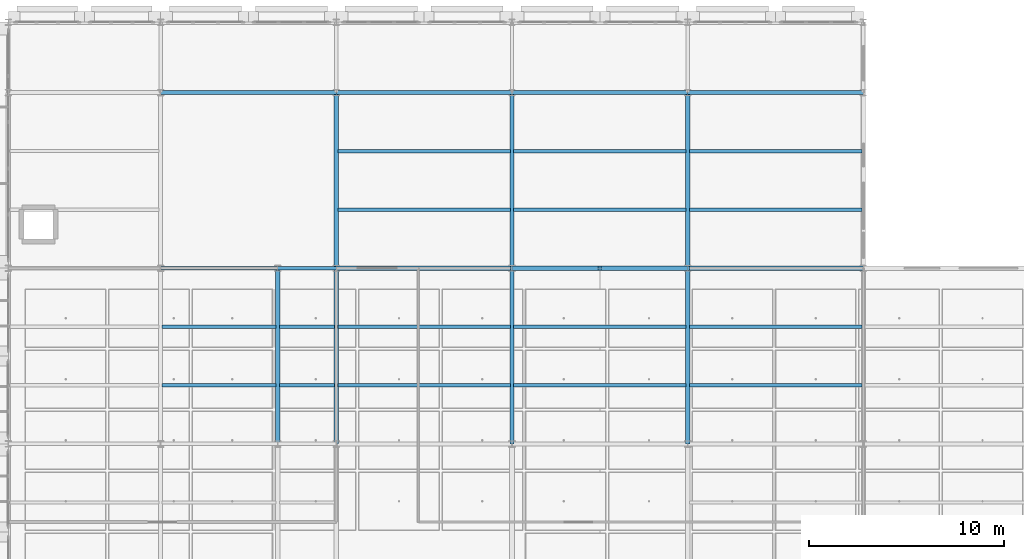
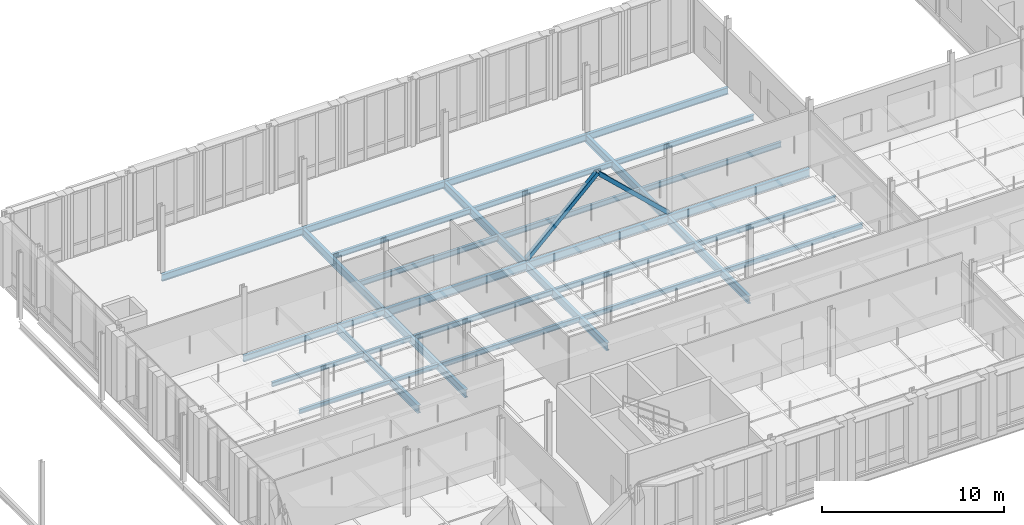
# One storey, part 41 of 130: 32 beams, 2 members.
"""IFC4 building model written with IfcOpenShell, lengths in metres."""

from ifc_helpers import new_model, si_unit, direction, frame, origin, origin_2d, place, context, subcontext, project, spatial, hollow_rectangle, i_section, extrude, material, material_profile, profile_set, type_object, element, save


model = new_model("IFC4")

# Units and contexts
model_context = context("Model", 3, precision=1e-05, world=origin(), true_north=direction((0.0, 1.0)))
body_context = subcontext(model_context, "Body", "Model", "MODEL_VIEW")
ifc_project = project(units=[si_unit("LENGTHUNIT", "METRE"), si_unit("AREAUNIT", "SQUARE_METRE"), si_unit("VOLUMEUNIT", "CUBIC_METRE"), si_unit("PLANEANGLEUNIT", "RADIAN"), si_unit("MASSUNIT", "GRAM", prefix="KILO"), si_unit("THERMODYNAMICTEMPERATUREUNIT", "KELVIN"), si_unit("POWERUNIT", "WATT")], contexts=[model_context])

# Site, building, storey
site_placement = place(None, origin())
site = spatial("IfcSite", under=ifc_project, at=site_placement, CompositionType="ELEMENT")
building_placement = place(site_placement, origin())
building = spatial("IfcBuilding", under=site, at=building_placement, Name="Tallowbark Science Centre", CompositionType="ELEMENT")
storey_placement = place(building_placement, frame((0.0, 0.0, 5.39990234375)))
storey = spatial("IfcBuildingStorey", under=building, at=storey_placement, Name="L01", CompositionType="ELEMENT", Elevation=5.39990234375)

# Beams
ifc_material_1 = material(Name="Structural Steel Grade 300PLUS (300 MPa)", Category="steel")
ifc_material_profile_1 = material_profile(ifc_material_1, i_section(OverallWidth=0.177734375, OverallDepth=0.406494140625, WebThickness=0.0078125, FlangeThickness=0.0126953125, FilletRadius=0.011474609375, at=origin_2d()), Name="410UB59.7")
ifc_profile_set_1 = profile_set([ifc_material_profile_1], Name="Structural Steel Grade 300PLUS (300 MPa)")
beam_type_1 = type_object("IfcBeamType", Name="BM-UB410", PredefinedType="BEAM", material=ifc_profile_set_1)
beam_1_placement = place(storey_placement, frame((63.0, 99.0, -0.383056640625), z_axis=(1.0, 0.0, 0.0), x_axis=(0.0, 1.0, 0.0)))
element("IfcBeam", 1, at=beam_1_placement, inside=storey, type_object=beam_type_1, Name="Primary Girder GRDX-L01-630-690-990", PredefinedType="BEAM", context=body_context, shape_type="SweptSolid", body=[
    extrude(i_section(OverallWidth=0.177734375, OverallDepth=0.406494140625, WebThickness=0.0078125, FlangeThickness=0.0126953125, FilletRadius=0.011474609375, at=origin_2d()), origin(), (0.0, 0.0, 1.0), 6.0),
])
beam_2_placement = place(storey_placement, frame((69.0, 99.0, -0.383056640625), z_axis=(1.0, 0.0, 0.0), x_axis=(0.0, 1.0, 0.0)))
element("IfcBeam", 2, at=beam_2_placement, inside=storey, type_object=beam_type_1, Name="Primary Girder GRDX-L01-690-720-990", PredefinedType="BEAM", context=body_context, shape_type="SweptSolid", body=[
    extrude(i_section(OverallWidth=0.177734375, OverallDepth=0.406494140625, WebThickness=0.0078125, FlangeThickness=0.0126953125, FilletRadius=0.011474609375, at=origin_2d()), origin(), (0.0, 0.0, 1.0), 3.0),
])
ifc_material_profile_2 = material_profile(ifc_material_1, i_section(OverallWidth=0.208984375, OverallDepth=0.532958984375, WebThickness=0.01025390625, FlangeThickness=0.015625, FilletRadius=0.013916015625, at=origin_2d()), Name="530UB92.4")
ifc_profile_set_2 = profile_set([ifc_material_profile_2], Name="Structural Steel Grade 300PLUS (300 MPa)")
beam_type_2 = type_object("IfcBeamType", Name="BM-UB530A", PredefinedType="BEAM", material=ifc_profile_set_2)
for number, where, z_axis, x_axis, name in (
    (3, (72.0, 99.0, -0.4462890625), (1.0, 0.0, 0.0), (0.0, 1.0, 0.0), "Primary Girder GRDX-L01-720-810-990"),
    (4, (81.0, 99.0, -0.4462890625), (1.0, 0.0, 0.0), (0.0, 1.0, 0.0), "Primary Girder GRDX-L01-810-900-990"),
    (5, (90.0, 99.0, -0.4462890625), (1.0, 0.0, 0.0), (0.0, 1.0, 0.0), "Primary Girder GRDX-L01-900-990-990"),
):
    element("IfcBeam", number, at=place(storey_placement, frame(where, z_axis=z_axis, x_axis=x_axis)), inside=storey, type_object=beam_type_2, Name=name, PredefinedType="BEAM", context=body_context, shape_type="SweptSolid", body=[
        extrude(i_section(OverallWidth=0.208984375, OverallDepth=0.532958984375, WebThickness=0.01025390625, FlangeThickness=0.015625, FilletRadius=0.013916015625, at=origin_2d()), origin(), (0.0, 0.0, 1.0), 9.0),
    ])
ifc_material_profile_3 = material_profile(ifc_material_1, i_section(OverallWidth=0.208740234375, OverallDepth=0.5283203125, WebThickness=0.009521484375, FlangeThickness=0.01318359375, FilletRadius=0.013916015625, at=origin_2d()), Name="530UB82.0")
ifc_profile_set_3 = profile_set([ifc_material_profile_3], Name="Structural Steel Grade 300PLUS (300 MPa)")
beam_type_3 = type_object("IfcBeamType", Name="BM-UB530B", PredefinedType="BEAM", material=ifc_profile_set_3)
for number, where, z_axis, x_axis, name in (
    (6, (69.0, 90.0, -0.444091796875), (0.0, 1.0, 0.0), (-1.0, 0.0, 0.0), "Primary Girder GRDY-L01-690-900-990"),
    (7, (72.0, 90.0, -0.444091796875), (0.0, 1.0, 0.0), (-1.0, 0.0, 0.0), "Primary Girder GRDY-L01-720-900-990"),
    (8, (72.0, 99.0, -0.444091796875), (0.0, 1.0, 0.0), (-1.0, 0.0, 0.0), "Primary Girder GRDY-L01-720-990-1080"),
    (9, (81.0, 90.0, -0.444091796875), (0.0, 1.0, 0.0), (-1.0, 0.0, 0.0), "Primary Girder GRDY-L01-810-900-990"),
    (10, (81.0, 99.0, -0.444091796875), (0.0, 1.0, 0.0), (-1.0, 0.0, 0.0), "Primary Girder GRDY-L01-810-990-1080"),
    (11, (90.0, 90.0, -0.444091796875), (0.0, 1.0, 0.0), (-1.0, 0.0, 0.0), "Primary Girder GRDY-L01-900-900-990"),
    (12, (90.0, 99.0, -0.444091796875), (0.0, 1.0, 0.0), (-1.0, 0.0, 0.0), "Primary Girder GRDY-L01-900-990-1080"),
):
    element("IfcBeam", number, at=place(storey_placement, frame(where, z_axis=z_axis, x_axis=x_axis)), inside=storey, type_object=beam_type_3, Name=name, PredefinedType="BEAM", context=body_context, shape_type="SweptSolid", body=[
        extrude(i_section(OverallWidth=0.208740234375, OverallDepth=0.5283203125, WebThickness=0.009521484375, FlangeThickness=0.01318359375, FilletRadius=0.013916015625, at=origin_2d()), origin(), (0.0, 0.0, 1.0), 9.0),
    ])

# Members
ifc_material_2 = material(Name="Structural Steel Grade C350L0 (350 MPa)", Category="steel")
ifc_material_profile_4 = material_profile(ifc_material_2, hollow_rectangle(XDim=0.25, YDim=0.25, WallThickness=0.009033203125, at=origin_2d()), Name="250x250x9.0SHS")
ifc_profile_set_4 = profile_set([ifc_material_profile_4], Name="Structural Steel Grade C350L0 (350 MPa)")
member_type = type_object("IfcMemberType", Name="CBF-250SHS", PredefinedType="BRACE", material=ifc_profile_set_4)
for number, where, z_axis, x_axis, name in (
    (13, (81.0, 99.0, 0.0), (0.72701315255, 0.0, 0.686623532964), (0.0, 1.0, 0.0), "Concentric Chevron Brace CBF-LAB-N1 L01 Left"),
    (14, (90.0, 99.0, 0.0), (-0.72701315255, 0.0, 0.686623532964), (0.0, -1.0, 0.0), "Concentric Chevron Brace CBF-LAB-N1 L01 Right"),
):
    element("IfcMember", number, at=place(storey_placement, frame(where, z_axis=z_axis, x_axis=x_axis)), inside=storey, type_object=member_type, Name=name, PredefinedType="BRACE", context=body_context, shape_type="SweptSolid", body=[
        extrude(hollow_rectangle(XDim=0.25, YDim=0.25, WallThickness=0.009033203125, at=origin_2d()), origin(), (0.0, 0.0, 1.0), 6.189697265625),
    ])

# Beams
ifc_material_profile_5 = material_profile(ifc_material_1, i_section(OverallWidth=0.166015625, OverallDepth=0.30712890625, WebThickness=0.006591796875, FlangeThickness=0.01171875, FilletRadius=0.011474609375, at=origin_2d()), Name="310UB46.2")
ifc_profile_set_5 = profile_set([ifc_material_profile_5], Name="Structural Steel Grade 300PLUS (300 MPa)")
beam_type_4 = type_object("IfcBeamType", Name="JST-UB310", PredefinedType="JOIST", material=ifc_profile_set_5)
for number, where, z_axis, x_axis, name in (
    (15, (63.0849609375, 93.0, -0.33349609375), (1.0, 0.0, 0.0), (0.0, 1.0, 0.0), "Composite Floor Joist JSTX-L01-630-930"),
    (16, (63.0849609375, 96.0, -0.33349609375), (1.0, 0.0, 0.0), (0.0, 1.0, 0.0), "Composite Floor Joist JSTX-L01-630-960"),
):
    element("IfcBeam", number, at=place(storey_placement, frame(where, z_axis=z_axis, x_axis=x_axis)), inside=storey, type_object=beam_type_4, Name=name, PredefinedType="JOIST", context=body_context, shape_type="SweptSolid", body=[
        extrude(i_section(OverallWidth=0.166015625, OverallDepth=0.30712890625, WebThickness=0.006591796875, FlangeThickness=0.01171875, FilletRadius=0.011474609375, at=origin_2d()), origin(), (0.0, 0.0, 1.0), 5.830078125),
    ])
for number, where, z_axis, x_axis, name in (
    (17, (69.0849609375, 93.0, -0.33349609375), (1.0, 0.0, 0.0), (0.0, 1.0, 0.0), "Composite Floor Joist JSTX-L01-690-930"),
    (18, (69.0849609375, 96.0, -0.33349609375), (1.0, 0.0, 0.0), (0.0, 1.0, 0.0), "Composite Floor Joist JSTX-L01-690-960"),
):
    element("IfcBeam", number, at=place(storey_placement, frame(where, z_axis=z_axis, x_axis=x_axis)), inside=storey, type_object=beam_type_4, Name=name, PredefinedType="JOIST", context=body_context, shape_type="SweptSolid", body=[
        extrude(i_section(OverallWidth=0.166015625, OverallDepth=0.30712890625, WebThickness=0.006591796875, FlangeThickness=0.01171875, FilletRadius=0.011474609375, at=origin_2d()), origin(), (0.0, 0.0, 1.0), 2.830078125),
    ])
ifc_material_profile_6 = material_profile(ifc_material_1, i_section(OverallWidth=0.172119140625, OverallDepth=0.358642578125, WebThickness=0.008056640625, FlangeThickness=0.012939453125, FilletRadius=0.011474609375, at=origin_2d()), Name="360UB56.7")
ifc_profile_set_6 = profile_set([ifc_material_profile_6], Name="Structural Steel Grade 300PLUS (300 MPa)")
beam_type_5 = type_object("IfcBeamType", Name="JST-UB360", PredefinedType="JOIST", material=ifc_profile_set_6)
for number, where, z_axis, x_axis, name in (
    (19, (72.0849609375, 93.0, -0.359130859375), (1.0, 0.0, 0.0), (0.0, 1.0, 0.0), "Composite Floor Joist JSTX-L01-720-930"),
    (20, (72.0849609375, 96.0, -0.359130859375), (1.0, 0.0, 0.0), (0.0, 1.0, 0.0), "Composite Floor Joist JSTX-L01-720-960"),
    (21, (81.0849609375, 93.0, -0.359130859375), (1.0, 0.0, 0.0), (0.0, 1.0, 0.0), "Composite Floor Joist JSTX-L01-810-930"),
    (22, (81.0849609375, 96.0, -0.359130859375), (1.0, 0.0, 0.0), (0.0, 1.0, 0.0), "Composite Floor Joist JSTX-L01-810-960"),
    (23, (90.0849609375, 93.0, -0.359130859375), (1.0, 0.0, 0.0), (0.0, 1.0, 0.0), "Composite Floor Joist JSTX-L01-900-930"),
    (24, (90.0849609375, 96.0, -0.359130859375), (1.0, 0.0, 0.0), (0.0, 1.0, 0.0), "Composite Floor Joist JSTX-L01-900-960"),
    (25, (72.0849609375, 102.0, -0.359130859375), (1.0, 0.0, 0.0), (0.0, 1.0, 0.0), "Composite Floor Joist JSTX-L01-720-1020"),
    (26, (72.0849609375, 105.0, -0.359130859375), (1.0, 0.0, 0.0), (0.0, 1.0, 0.0), "Composite Floor Joist JSTX-L01-720-1050"),
    (27, (81.0849609375, 102.0, -0.359130859375), (1.0, 0.0, 0.0), (0.0, 1.0, 0.0), "Composite Floor Joist JSTX-L01-810-1020"),
    (28, (81.0849609375, 105.0, -0.359130859375), (1.0, 0.0, 0.0), (0.0, 1.0, 0.0), "Composite Floor Joist JSTX-L01-810-1050"),
    (29, (90.0849609375, 102.0, -0.359130859375), (1.0, 0.0, 0.0), (0.0, 1.0, 0.0), "Composite Floor Joist JSTX-L01-900-1020"),
    (30, (90.0849609375, 105.0, -0.359130859375), (1.0, 0.0, 0.0), (0.0, 1.0, 0.0), "Composite Floor Joist JSTX-L01-900-1050"),
):
    element("IfcBeam", number, at=place(storey_placement, frame(where, z_axis=z_axis, x_axis=x_axis)), inside=storey, type_object=beam_type_5, Name=name, PredefinedType="JOIST", context=body_context, shape_type="SweptSolid", body=[
        extrude(i_section(OverallWidth=0.172119140625, OverallDepth=0.358642578125, WebThickness=0.008056640625, FlangeThickness=0.012939453125, FilletRadius=0.011474609375, at=origin_2d()), origin(), (0.0, 0.0, 1.0), 8.830078125),
    ])
ifc_material_profile_7 = material_profile(ifc_material_1, i_section(OverallWidth=0.18994140625, OverallDepth=0.453857421875, WebThickness=0.008544921875, FlangeThickness=0.0126953125, FilletRadius=0.011474609375, at=origin_2d()), Name="460UB67.1")
ifc_profile_set_7 = profile_set([ifc_material_profile_7], Name="Structural Steel Grade 300PLUS (300 MPa)")
beam_type_6 = type_object("IfcBeamType", Name="SPN-UB460", PredefinedType="SPANDREL", material=ifc_profile_set_7)
for number, where, z_axis, x_axis, name in (
    (31, (63.0, 108.0, -0.40673828125), (1.0, 0.0, 0.0), (0.0, 1.0, 0.0), "Primary Girder GRDX-L01-630-720-1080"),
    (32, (72.0, 108.0, -0.40673828125), (1.0, 0.0, 0.0), (0.0, 1.0, 0.0), "Primary Girder GRDX-L01-720-810-1080"),
    (33, (81.0, 108.0, -0.40673828125), (1.0, 0.0, 0.0), (0.0, 1.0, 0.0), "Primary Girder GRDX-L01-810-900-1080"),
    (34, (90.0, 108.0, -0.40673828125), (1.0, 0.0, 0.0), (0.0, 1.0, 0.0), "Primary Girder GRDX-L01-900-990-1080"),
):
    element("IfcBeam", number, at=place(storey_placement, frame(where, z_axis=z_axis, x_axis=x_axis)), inside=storey, type_object=beam_type_6, Name=name, PredefinedType="SPANDREL", context=body_context, shape_type="SweptSolid", body=[
        extrude(i_section(OverallWidth=0.18994140625, OverallDepth=0.453857421875, WebThickness=0.008544921875, FlangeThickness=0.0126953125, FilletRadius=0.011474609375, at=origin_2d()), origin(), (0.0, 0.0, 1.0), 9.0),
    ])

save(model, "model.ifc")
